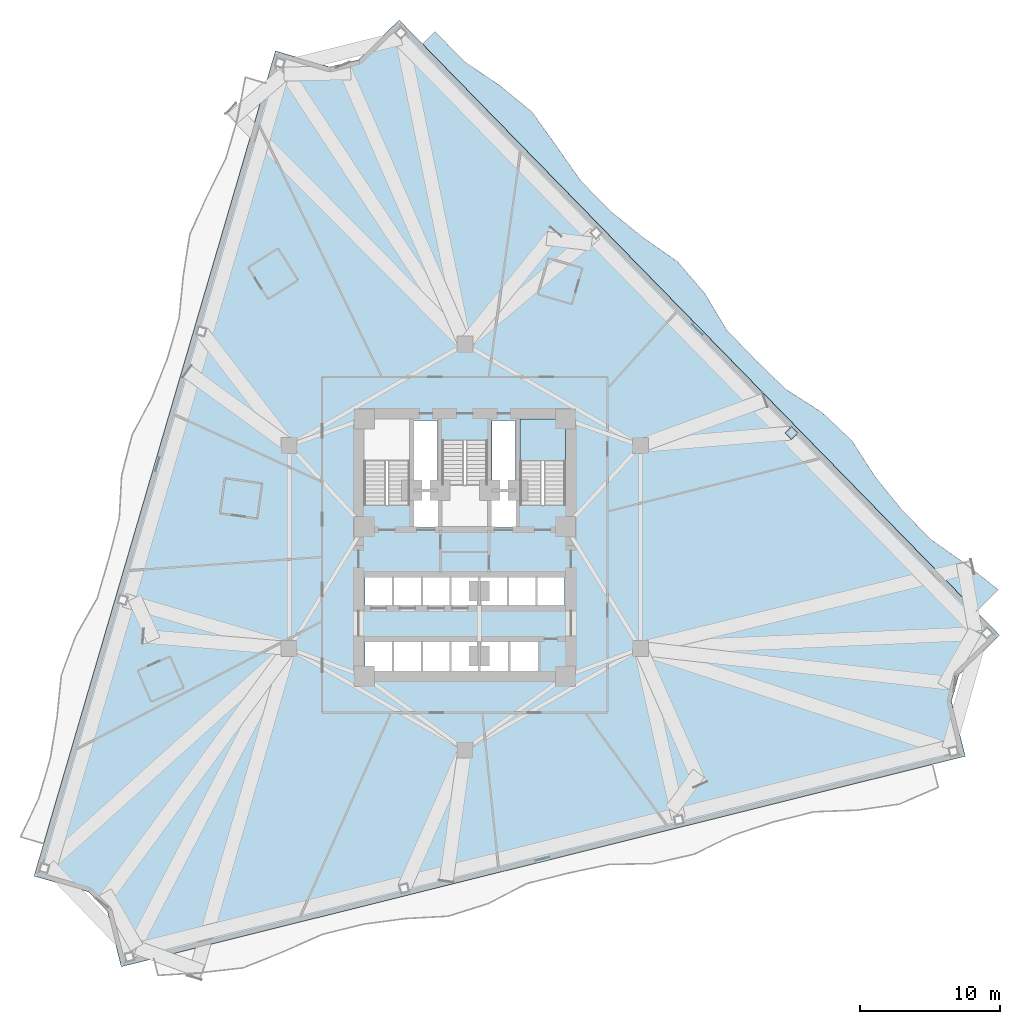
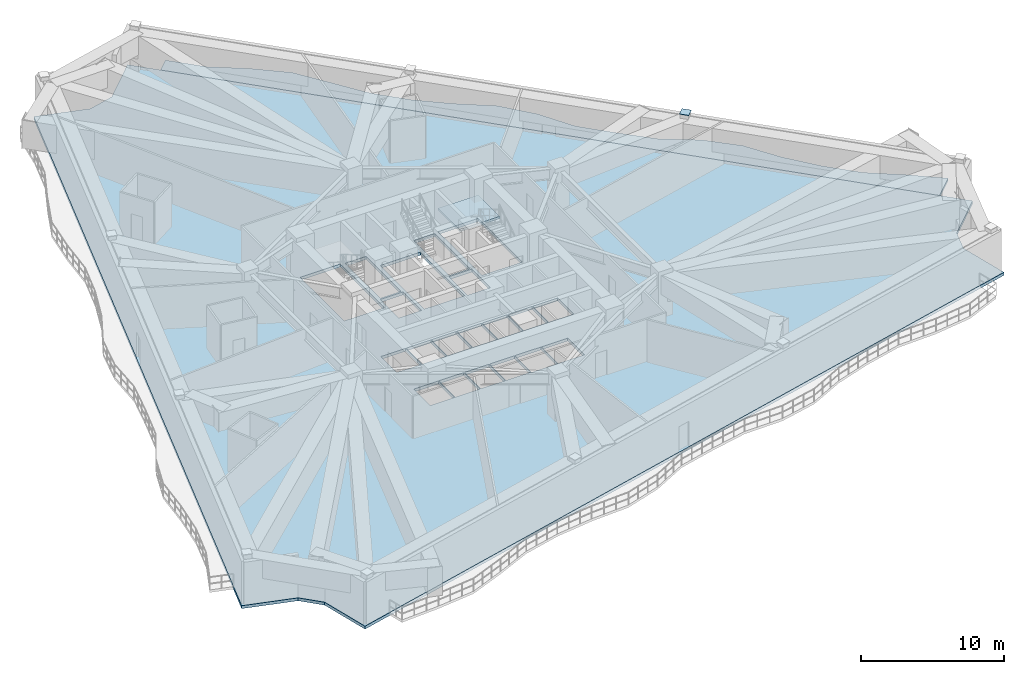
# One storey, part 5 of 14: 3 slabs, 1 plate, 1 element without a shape of its own.
"""IFC4 building model written with IfcOpenShell, lengths in metres."""

from ifc_helpers import new_model, si_unit, direction, frame, origin, origin_2d, place, context, subcontext, project, spatial, polyline, rectangle, outline, extrude, material, layer, layer_set, type_object, element, aggregate, save


model = new_model("IFC4")

# Units and contexts
model_context = context("Model", 3, precision=1e-05, world=origin(), true_north=direction((0.0, 1.0)))
body_context = subcontext(model_context, "Body", "Model", "MODEL_VIEW")
ifc_project = project(units=[si_unit("LENGTHUNIT", "METRE"), si_unit("AREAUNIT", "SQUARE_METRE"), si_unit("VOLUMEUNIT", "CUBIC_METRE"), si_unit("PLANEANGLEUNIT", "RADIAN"), si_unit("MASSUNIT", "GRAM", prefix="KILO")], contexts=[model_context])

# Site, building, storey
site_placement = place(None, origin())
site = spatial("IfcSite", under=ifc_project, at=site_placement, CompositionType="ELEMENT")
building_placement = place(site_placement, origin())
building = spatial("IfcBuilding", under=site, at=building_placement, Name="Apsidion Concourse Tower", CompositionType="ELEMENT")
storey_placement = place(building_placement, frame((0.0, 0.0, 123.0)))
storey = spatial("IfcBuildingStorey", under=building, at=storey_placement, Name="L28", CompositionType="ELEMENT", Elevation=123.0)

# Plate
ifc_material_1 = material(Name="Structural steel ASTM A572 Grade 50", Category="steel")
ifc_layer_1 = layer(ifc_material_1, 0.034912109375)
ifc_layer_set_1 = layer_set([ifc_layer_1], Name="Structural steel ASTM A572 Grade 50")
plate_type = type_object("IfcPlateType", Name="PL-ENDCAP-35", PredefinedType="USERDEFINED", material=ifc_layer_set_1)
plate_placement = place(storey_placement, frame((23.365478515625, 8.15087890625, 3.998046875), z_axis=(0.0, 0.0, 1.0), x_axis=(-0.698540186739, 0.715570826341, 0.0)))
element("IfcPlate", 1, at=plate_placement, inside=storey, type_object=plate_type, Name="L28 Step-Top Column End-Cap Plate PCCAP-PC10", ObjectType="FLANGE_PLATE", PredefinedType="USERDEFINED", context=body_context, shape_type="SweptSolid", body=[
    extrude(rectangle(XDim=0.679931640625, YDim=0.679931640625, at=origin_2d()), origin(), (0.0, 0.0, 1.0), 0.0400390625),
])

# Slabs
ifc_material_2 = material(Name="Concrete C50/60", Category="concrete")
ifc_layer_2 = layer(ifc_material_2, 0.219970703125)
ifc_layer_set_2 = layer_set([ifc_layer_2], Name="Concrete C50/60")
slab_type_1 = type_object("IfcSlabType", Name="SL-BAL-220", PredefinedType="FLOOR", material=ifc_layer_set_2)
slab_1_placement = place(storey_placement, frame((0.0, 0.0, -0.219970703125)))
element("IfcSlab", 2, at=slab_1_placement, inside=storey, type_object=slab_type_1, Name="L28 Face 3 Rippling Balcony Slab", PredefinedType="FLOOR", context=body_context, shape_type="SweptSolid", body=[
    extrude(outline(polyline([(36.569091796875, -4.591064453125), (34.485595703125, -2.456298828125), (32.402099609375, -0.32177734375), (30.318603515625, 1.81298828125), (28.23486328125, 3.947509765625), (26.1513671875, 6.082275390625), (24.06787109375, 8.216796875), (21.984130859375, 10.3515625), (19.900634765625, 12.486083984375), (17.817138671875, 14.620849609375), (15.733642578125, 16.75537109375), (13.64990234375, 18.89013671875), (11.56640625, 21.024658203125), (9.48291015625, 23.159423828125), (7.3994140625, 25.2939453125), (5.31591796875, 27.4287109375), (3.232177734375, 29.563232421875), (1.148681640625, 31.697998046875), (-0.934814453125, 33.83251953125), (-3.018310546875, 35.96728515625), (-2.123779296875, 36.84033203125), (-0.040283203125, 34.705810546875), (2.483642578125, 33.0009765625), (4.803955078125, 31.097412109375), (6.55908203125, 28.64208984375), (8.2939453125, 26.1669921875), (10.37744140625, 24.032470703125), (12.712890625, 22.143798828125), (15.200927734375, 20.40380859375), (17.14892578125, 18.136962890625), (18.722900390625, 15.504638671875), (20.795166015625, 13.359130859375), (22.935791015625, 11.2802734375), (25.518798828125, 9.63330078125), (27.68408203125, 7.578369140625), (29.33154296875, 5.01806640625), (31.212890625, 2.68603515625), (33.29638671875, 0.551513671875), (35.775634765625, -1.197265625), (38.1435546875, -3.05419921875), (36.569091796875, -4.591064453125)])), origin(), (0.0, 0.0, 1.0), 0.219970703125),
])
ifc_layer_3 = layer(ifc_material_2, 0.25)
ifc_layer_set_3 = layer_set([ifc_layer_3], Name="Concrete C50/60")
slab_type_2 = type_object("IfcSlabType", Name="SL-FLR-250", PredefinedType="FLOOR", material=ifc_layer_set_3)
slab_2_placement = place(storey_placement, frame((0.0, 0.0, -0.25)))
element("IfcSlab", 3, at=slab_2_placement, inside=storey, type_object=slab_type_2, Name="L28 Structural Floor Slab", PredefinedType="FLOOR", context=body_context, shape_type="SweptSolid", body=[
    extrude(outline(polyline([(-4.69482421875, 37.684814453125), (-7.614013671875, 34.83544921875), (-9.63134765625, 34.33251953125), (-13.546630859375, 35.477783203125), (-30.80712890625, -23.525390625), (-26.891845703125, -24.670654296875), (-25.56103515625, -26.055908203125), (-24.57421875, -30.01416015625), (35.78857421875, -14.964111328125), (34.8017578125, -11.005859375), (35.326416015625, -9.15771484375), (38.24560546875, -6.30859375), (-4.69482421875, 37.684814453125)]), holes=[polyline([(-3.949951171875, 3.0), (-3.949951171875, 9.14990234375), (-7.199951171875, 9.14990234375), (-7.199951171875, 3.0), (-3.949951171875, 3.0)]), polyline([(7.199951171875, 3.0), (7.199951171875, 9.14990234375), (3.949951171875, 9.14990234375), (3.949951171875, 3.0), (7.199951171875, 3.0)]), polyline([(-1.625, 7.60009765625), (-1.625, 1.449951171875), (1.625, 1.449951171875), (1.625, 7.60009765625), (-1.625, 7.60009765625)]), polyline([(-7.14501953125, -4.300048828125), (-5.155029296875, -4.300048828125), (-5.155029296875, -2.050048828125), (-7.14501953125, -2.050048828125), (-7.14501953125, -4.300048828125)]), polyline([(-5.094970703125, -4.300048828125), (-3.10498046875, -4.300048828125), (-3.10498046875, -2.050048828125), (-5.094970703125, -2.050048828125), (-5.094970703125, -4.300048828125)]), polyline([(-3.044921875, -4.300048828125), (-1.054931640625, -4.300048828125), (-1.054931640625, -2.050048828125), (-3.044921875, -2.050048828125), (-3.044921875, -4.300048828125)]), polyline([(-0.9951171875, -4.300048828125), (0.9951171875, -4.300048828125), (0.9951171875, -2.050048828125), (-0.9951171875, -2.050048828125), (-0.9951171875, -4.300048828125)]), polyline([(1.054931640625, -4.300048828125), (3.044921875, -4.300048828125), (3.044921875, -2.050048828125), (1.054931640625, -2.050048828125), (1.054931640625, -4.300048828125)]), polyline([(3.10498046875, -4.300048828125), (5.094970703125, -4.300048828125), (5.094970703125, -2.050048828125), (3.10498046875, -2.050048828125), (3.10498046875, -4.300048828125)]), polyline([(5.155029296875, -4.300048828125), (7.14501953125, -4.300048828125), (7.14501953125, -2.050048828125), (5.155029296875, -2.050048828125), (5.155029296875, -4.300048828125)]), polyline([(-7.14501953125, -8.949951171875), (-5.155029296875, -8.949951171875), (-5.155029296875, -6.64990234375), (-7.14501953125, -6.64990234375), (-7.14501953125, -8.949951171875)]), polyline([(-5.094970703125, -8.949951171875), (-3.10498046875, -8.949951171875), (-3.10498046875, -6.64990234375), (-5.094970703125, -6.64990234375), (-5.094970703125, -8.949951171875)]), polyline([(-3.044921875, -8.949951171875), (-1.054931640625, -8.949951171875), (-1.054931640625, -6.64990234375), (-3.044921875, -6.64990234375), (-3.044921875, -8.949951171875)]), polyline([(-0.9951171875, -8.949951171875), (0.9951171875, -8.949951171875), (0.9951171875, -6.64990234375), (-0.9951171875, -6.64990234375), (-0.9951171875, -8.949951171875)]), polyline([(1.044921875, -9.0), (3.155029296875, -9.0), (3.155029296875, -6.64990234375), (1.044921875, -6.64990234375), (1.044921875, -9.0)]), polyline([(3.195068359375, -9.0), (5.304931640625, -9.0), (5.304931640625, -6.64990234375), (3.195068359375, -6.64990234375), (3.195068359375, -9.0)]), polyline([(-3.7099609375, 1.39990234375), (-1.85009765625, 1.39990234375), (-1.85009765625, 4.0), (-3.7099609375, 4.0), (-3.7099609375, 1.39990234375)]), polyline([(1.85009765625, 1.39990234375), (3.7099609375, 1.39990234375), (3.7099609375, 4.0), (1.85009765625, 4.0), (1.85009765625, 1.39990234375)]), polyline([(-3.6201171875, 4.14990234375), (-1.93994140625, 4.14990234375), (-1.93994140625, 9.050048828125), (-3.6201171875, 9.050048828125), (-3.6201171875, 4.14990234375)]), polyline([(1.93994140625, 4.14990234375), (3.6201171875, 4.14990234375), (3.6201171875, 9.050048828125), (1.93994140625, 9.050048828125), (1.93994140625, 4.14990234375)])]), origin(), (0.0, 0.0, 1.0), 0.25),
])

# Stair, slab
ifc_material_3 = material(Name="Precast concrete C40/50", Category="concrete")
stair_type = type_object("IfcStairType", Name="ST-DL-1550", PredefinedType="HALF_TURN_STAIR", material=ifc_material_3)
stair_placement = place(storey_placement, origin())
stair = element("IfcStair", 4, at=stair_placement, inside=storey, type_object=stair_type, Name="L28 Protected Core Exit Stair ST2", PredefinedType="HALF_TURN_STAIR")
ifc_layer_4 = layer(ifc_material_2, 0.199951171875)
ifc_layer_set_4 = layer_set([ifc_layer_4], Name="Concrete C50/60")
slab_type_3 = type_object("IfcSlabType", Name="SL-ST-LAND-200", PredefinedType="LANDING", material=ifc_layer_set_4)
slab_3_placement = place(storey_placement, frame((0.0, 0.0, 1.800048828125)))
slab_3 = element("IfcSlab", 5, at=slab_3_placement, type_object=slab_type_3, Name="ST2 landing 1", PredefinedType="LANDING", context=body_context, shape_type="SweptSolid", body=[
    extrude(outline(polyline([(7.199951171875, 6.135009765625), (7.199951171875, 9.14990234375), (3.949951171875, 9.14990234375), (3.949951171875, 6.135009765625), (7.199951171875, 6.135009765625)])), origin(), (0.0, 0.0, 1.0), 0.199951171875),
])
aggregate(stair, [slab_3])

save(model, "model.ifc")
